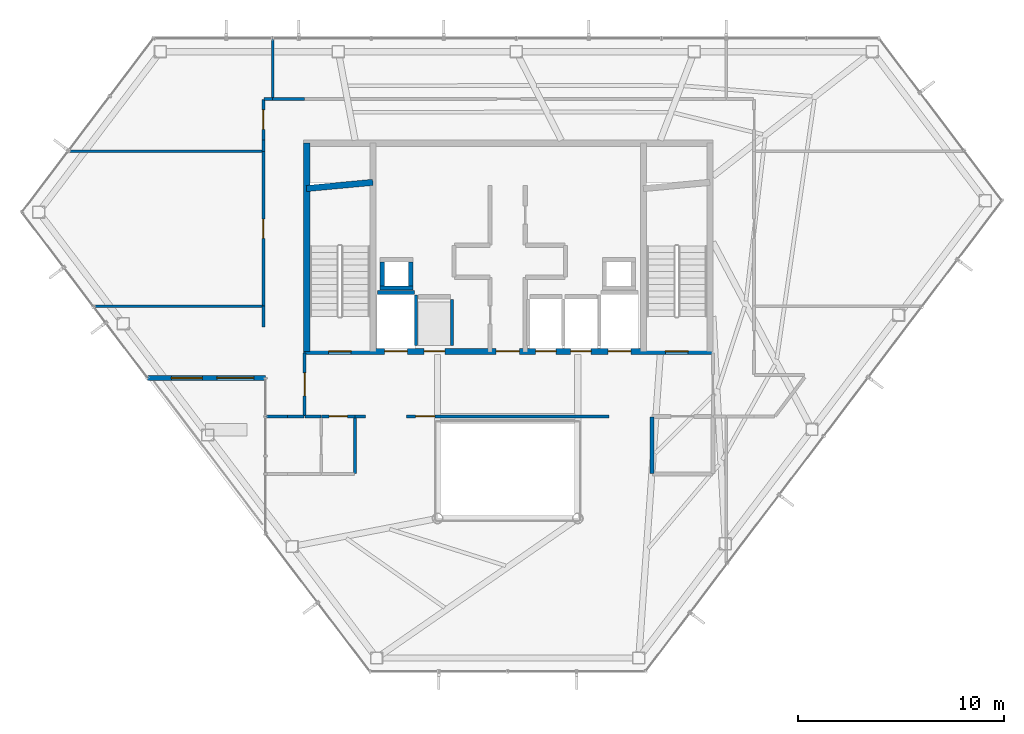
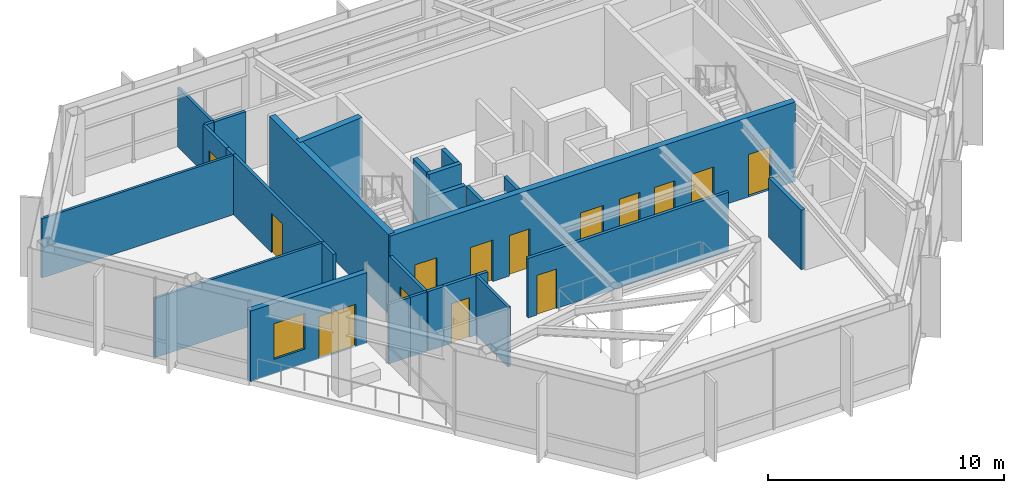
# One storey, part 19 of 23: 28 walls, 14 doors, 1 window, 15 openings.
"""IFC4 building model written with IfcOpenShell, lengths in metres."""

from ifc_helpers import new_model, si_unit, direction, frame, frame_2d, origin, place, context, subcontext, project, spatial, rectangle, extrude, material, layer, layer_set, type_object, element, fill, save


model = new_model("IFC4")

# Units and contexts
model_context = context("Model", 3, precision=1e-05, world=origin(), true_north=direction((0.0, 1.0)))
body_context = subcontext(model_context, "Body", "Model", "MODEL_VIEW")
ifc_project = project(units=[si_unit("LENGTHUNIT", "METRE"), si_unit("AREAUNIT", "SQUARE_METRE"), si_unit("VOLUMEUNIT", "CUBIC_METRE"), si_unit("PLANEANGLEUNIT", "RADIAN"), si_unit("MASSUNIT", "GRAM", prefix="KILO")], contexts=[model_context])

# Site, building, storey
site_placement = place(None, origin())
site = spatial("IfcSite", under=ifc_project, at=site_placement, CompositionType="ELEMENT")
building_placement = place(site_placement, origin())
building = spatial("IfcBuilding", under=site, at=building_placement, Name="Zarrinselat Tower", CompositionType="ELEMENT")
storey_placement = place(building_placement, frame((0.0, 0.0, 199.919921875)))
storey = spatial("IfcBuildingStorey", under=building, at=storey_placement, Name="L49", CompositionType="ELEMENT", Elevation=199.919921875)

# Wall, openings, door, window
ifc_material_1 = material(Name="Honed Cream Travertine Stone", Category="masonry")
ifc_layer_1 = layer(ifc_material_1, 0.260009765625)
ifc_layer_set_1 = layer_set([ifc_layer_1], Name="Honed Cream Travertine Stone")
wall_type_1 = type_object("IfcWallType", Name="WAL-EXT-STONE-260", PredefinedType="STANDARD", material=ifc_layer_set_1)
wall_1_placement = place(storey_placement, frame((26.642578125, 32.014892578125, 0.0), z_axis=(0.0, 0.0, 1.0), x_axis=(-1.0, 0.0, 0.0)))
wall_1 = element("IfcWall", 1, at=wall_1_placement, inside=storey, type_object=wall_type_1, Name="L49 Garden Terrace Portal Wall", PredefinedType="STANDARD", context=body_context, shape_type="SweptSolid", body=[
    extrude(rectangle(XDim=5.706787109375, YDim=0.260009765625, at=frame_2d((2.853515625, 0.0))), origin(), (0.0, 0.0, 1.0), 3.650146484375),
])
opening_1_placement = place(wall_1_placement, frame((0.550048828125, 0.0, 0.0)))
opening_1 = element("IfcOpeningElement", 2, at=opening_1_placement, cuts=wall_1, Name="Opening ED-04", PredefinedType="OPENING", context=body_context, shape_type="SweptSolid", body=[
    extrude(rectangle(XDim=1.800048828125, YDim=2.199951171875, at=frame_2d((0.89990234375, 1.10009765625))), frame((0.0, 0.139892578125, 0.0), z_axis=(0.0, -1.0, 0.0), x_axis=(1.0, 0.0, 0.0)), (0.0, 0.0, 1.0), 0.280029296875),
])
opening_2_placement = place(wall_1_placement, frame((3.050048828125, 0.0, 0.75)))
opening_2 = element("IfcOpeningElement", 3, at=opening_2_placement, cuts=wall_1, Name="Opening WN-5", PredefinedType="OPENING", context=body_context, shape_type="SweptSolid", body=[
    extrude(rectangle(XDim=1.5, YDim=1.85009765625, at=frame_2d((0.75, 0.925048828125))), frame((0.0, 0.139892578125, 0.0), z_axis=(0.0, -1.0, 0.0), x_axis=(1.0, 0.0, 0.0)), (0.0, 0.0, 1.0), 0.280029296875),
])
ifc_material_2 = material(Name="Double Low-E Laminated Solar Glass", Category="glass")
door_type_1 = type_object("IfcDoorType", Name="DR-EXT-TERR-1800", OperationType="NOTDEFINED", PredefinedType="DOOR", material=ifc_material_2)
door_1_placement = place(opening_1_placement, origin())
door_1 = element("IfcDoor", 4, at=door_1_placement, inside=storey, type_object=door_type_1, Name="L49 Outdoor Garden Terrace Double Door", OperationType="DOUBLE_DOOR_SINGLE_SWING", OverallHeight=2.199951171875, OverallWidth=1.800048828125, PredefinedType="DOOR", context=body_context, shape_type="SweptSolid", body=[
    extrude(rectangle(XDim=1.800048828125, YDim=2.199951171875, at=frame_2d((0.89990234375, 1.10009765625))), frame((0.0, 0.02490234375, 0.0), z_axis=(0.0, -1.0, 0.0), x_axis=(1.0, 0.0, 0.0)), (0.0, 0.0, 1.0), 0.050048828125),
])
fill(opening_1, door_1)
ifc_material_3 = material(Name="Double Low-E Laminated Solar Glass", Category="glass")
window_type = type_object("IfcWindowType", Name="WIN-OFFICE-1500", PartitioningType="SINGLE_PANEL", PredefinedType="WINDOW", material=ifc_material_3)
window_placement = place(opening_2_placement, origin())
window = element("IfcWindow", 5, at=window_placement, inside=storey, type_object=window_type, Name="L49 Garden Pavilion Window L", OverallHeight=1.85009765625, OverallWidth=1.5, PartitioningType="SINGLE_PANEL", PredefinedType="WINDOW", context=body_context, shape_type="SweptSolid", body=[
    extrude(rectangle(XDim=1.5, YDim=1.85009765625, at=frame_2d((0.75, 0.925048828125))), frame((0.0, 0.030029296875, 0.0), z_axis=(0.0, -1.0, 0.0), x_axis=(1.0, 0.0, 0.0)), (0.0, 0.0, 1.0), 0.06005859375),
])
fill(opening_2, window)

# Wall
ifc_material_4 = material(Name="Concrete C40/50", Category="concrete")
ifc_layer_2 = layer(ifc_material_4, 0.18994140625)
ifc_layer_set_2 = layer_set([ifc_layer_2], Name="Concrete C40/50")
wall_type_2 = type_object("IfcWallType", Name="WAL-PART-EI120", PredefinedType="PARTITIONING", material=ifc_layer_set_2)
wall_2_placement = place(storey_placement, frame((45.39990234375, 27.3701171875, 0.0), z_axis=(0.0, 0.0, 1.0), x_axis=(0.0, 1.0, 0.0)))
element("IfcWall", 6, at=wall_2_placement, inside=storey, type_object=wall_type_2, Name="L49 Partition Wall 19", PredefinedType="PARTITIONING", context=body_context, shape_type="SweptSolid", body=[
    extrude(rectangle(XDim=2.759765625, YDim=0.18994140625, at=frame_2d((1.3798828125, 0.0))), origin(), (0.0, 0.0, 1.0), 3.0771484375),
])

# Wall, opening, door
ifc_material_5 = material(Name="Fire-Rated Gypsum Board Partition", Category="gypsum")
ifc_layer_3 = layer(ifc_material_5, 0.14990234375)
ifc_layer_set_3 = layer_set([ifc_layer_3], Name="Fire-Rated Gypsum Board Partition")
wall_type_3 = type_object("IfcWallType", Name="WAL-PART-EI60", PredefinedType="PARTITIONING", material=ifc_layer_set_3)
wall_3_placement = place(storey_placement, frame((29.364990234375, 30.14990234375, 0.0), z_axis=(0.0, 0.0, 1.0), x_axis=(1.0, 0.0, 0.0)))
wall_3 = element("IfcWall", 7, at=wall_3_placement, inside=storey, type_object=wall_type_3, Name="L49 Partition Wall 13", PredefinedType="PARTITIONING", context=body_context, shape_type="SweptSolid", body=[
    extrude(rectangle(XDim=1.630126953125, YDim=0.14990234375, at=frame_2d((0.81494140625, 0.0))), origin(), (0.0, 0.0, 1.0), 3.0771484375),
])
opening_3_placement = place(wall_3_placement, frame((0.375, 0.0, 0.0)))
opening_3 = element("IfcOpeningElement", 8, at=opening_3_placement, cuts=wall_3, Name="Opening ID-03", PredefinedType="OPENING", context=body_context, shape_type="SweptSolid", body=[
    extrude(rectangle(XDim=0.8798828125, YDim=2.050048828125, at=frame_2d((0.43994140625, 1.02490234375))), frame((0.0, 0.0849609375, 0.0), z_axis=(0.0, -1.0, 0.0), x_axis=(1.0, 0.0, 0.0)), (0.0, 0.0, 1.0), 0.169921875),
])
ifc_material_6 = material(Name="Steel S355J2", Category="steel")
door_type_2 = type_object("IfcDoorType", Name="DR-INT-FD60-S", OperationType="NOTDEFINED", PredefinedType="DOOR", material=ifc_material_6)
door_2_placement = place(opening_3_placement, origin())
door_2 = element("IfcDoor", 9, at=door_2_placement, inside=storey, type_object=door_type_2, Name="L49 Interior Door P13", OperationType="SINGLE_SWING_LEFT", OverallHeight=2.050048828125, OverallWidth=0.8798828125, PredefinedType="DOOR", context=body_context, shape_type="SweptSolid", body=[
    extrude(rectangle(XDim=0.8798828125, YDim=2.050048828125, at=frame_2d((0.43994140625, 1.02490234375))), frame((0.0, 0.02490234375, 0.0), z_axis=(0.0, -1.0, 0.0), x_axis=(1.0, 0.0, 0.0)), (0.0, 0.0, 1.0), 0.050048828125),
])
fill(opening_3, door_2)

# Wall
wall_4_placement = place(storey_placement, frame((28.570068359375, 30.14990234375, 0.0), z_axis=(0.0, 0.0, 1.0), x_axis=(1.0, 0.0, 0.0)))
element("IfcWall", 10, at=wall_4_placement, inside=storey, type_object=wall_type_3, Name="L49 Partition Wall 14", PredefinedType="PARTITIONING", context=body_context, shape_type="SweptSolid", body=[
    extrude(rectangle(XDim=0.784912109375, YDim=0.14990234375, at=frame_2d((0.392578125, 0.0))), origin(), (0.0, 0.0, 1.0), 3.0771484375),
])

# Wall, opening, door
wall_5_placement = place(storey_placement, frame((33.485107421875, 30.14990234375, 0.0), z_axis=(0.0, 0.0, 1.0), x_axis=(1.0, 0.0, 0.0)))
wall_5 = element("IfcWall", 11, at=wall_5_placement, inside=storey, type_object=wall_type_3, Name="L49 Partition Wall 15", PredefinedType="PARTITIONING", context=body_context, shape_type="SweptSolid", body=[
    extrude(rectangle(XDim=9.829833984375, YDim=0.14990234375, at=frame_2d((4.9150390625, 0.0))), origin(), (0.0, 0.0, 1.0), 3.0771484375),
])
opening_4_placement = place(wall_5_placement, frame((0.445068359375, 0.0, 0.0)))
opening_4 = element("IfcOpeningElement", 12, at=opening_4_placement, cuts=wall_5, Name="Opening ID-04", PredefinedType="OPENING", context=body_context, shape_type="SweptSolid", body=[
    extrude(rectangle(XDim=0.93994140625, YDim=2.050048828125, at=frame_2d((0.469970703125, 1.02490234375))), frame((0.0, 0.0849609375, 0.0), z_axis=(0.0, -1.0, 0.0), x_axis=(1.0, 0.0, 0.0)), (0.0, 0.0, 1.0), 0.169921875),
])
ifc_material_7 = material(Name="Fire-Rated Gypsum Board Partition")
door_type_3 = type_object("IfcDoorType", Name="DR-INT-FD30-ENT", OperationType="NOTDEFINED", PredefinedType="DOOR", material=ifc_material_7)
door_3_placement = place(opening_4_placement, origin())
door_3 = element("IfcDoor", 13, at=door_3_placement, inside=storey, type_object=door_type_3, Name="L49 Interior Door P15", OperationType="SINGLE_SWING_RIGHT", OverallHeight=2.050048828125, OverallWidth=0.93994140625, PredefinedType="DOOR", context=body_context, shape_type="SweptSolid", body=[
    extrude(rectangle(XDim=0.93994140625, YDim=2.050048828125, at=frame_2d((0.469970703125, 1.02490234375))), frame((0.0, 0.02490234375, 0.0), z_axis=(0.0, -1.0, 0.0), x_axis=(1.0, 0.0, 0.0)), (0.0, 0.0, 1.0), 0.050048828125),
])
fill(opening_4, door_3)

# Wall
wall_6_placement = place(storey_placement, frame((31.0048828125, 30.14990234375, 0.0), z_axis=(0.0, 0.0, 1.0), x_axis=(1.0, 0.0, 0.0)))
element("IfcWall", 14, at=wall_6_placement, inside=storey, type_object=wall_type_3, Name="L49 Partition Wall 16", PredefinedType="PARTITIONING", context=body_context, shape_type="SweptSolid", body=[
    extrude(rectangle(XDim=0.510009765625, YDim=0.14990234375, at=frame_2d((0.2548828125, 0.0))), origin(), (0.0, 0.0, 1.0), 3.0771484375),
])

# Wall, opening, door
wall_7_placement = place(storey_placement, frame((28.550048828125, 30.169921875, 0.0), z_axis=(0.0, 0.0, 1.0), x_axis=(0.0, 1.0, 0.0)))
wall_7 = element("IfcWall", 15, at=wall_7_placement, inside=storey, type_object=wall_type_3, Name="L49 Partition Wall 17", PredefinedType="PARTITIONING", context=body_context, shape_type="SweptSolid", body=[
    extrude(rectangle(XDim=3.06005859375, YDim=0.14990234375, at=frame_2d((1.530029296875, 0.0))), origin(), (0.0, 0.0, 1.0), 3.0771484375),
])
opening_5_placement = place(wall_7_placement, frame((0.969970703125, 0.0, 0.0)))
opening_5 = element("IfcOpeningElement", 16, at=opening_5_placement, cuts=wall_7, Name="Opening ID-02", PredefinedType="OPENING", context=body_context, shape_type="SweptSolid", body=[
    extrude(rectangle(XDim=1.1201171875, YDim=2.050048828125, at=frame_2d((0.56005859375, 1.02490234375))), frame((0.0, 0.0849609375, 0.0), z_axis=(0.0, -1.0, 0.0), x_axis=(1.0, 0.0, 0.0)), (0.0, 0.0, 1.0), 0.169921875),
])
ifc_material_8 = material(Name="Steel S355J2", Category="steel")
door_type_4 = type_object("IfcDoorType", Name="DR-INT-FD60-W", OperationType="NOTDEFINED", PredefinedType="DOOR", material=ifc_material_8)
door_4_placement = place(opening_5_placement, origin())
door_4 = element("IfcDoor", 17, at=door_4_placement, inside=storey, type_object=door_type_4, Name="L49 Interior Door P17", OperationType="SINGLE_SWING_LEFT", OverallHeight=2.050048828125, OverallWidth=1.1201171875, PredefinedType="DOOR", context=body_context, shape_type="SweptSolid", body=[
    extrude(rectangle(XDim=1.1201171875, YDim=2.050048828125, at=frame_2d((0.56005859375, 1.02490234375))), frame((0.0, 0.02490234375, 0.0), z_axis=(0.0, -1.0, 0.0), x_axis=(1.0, 0.0, 0.0)), (0.0, 0.0, 1.0), 0.050048828125),
])
fill(opening_5, door_4)

# Wall
wall_8_placement = place(storey_placement, frame((26.550048828125, 34.47509765625, 0.0), z_axis=(0.0, 0.0, 1.0), x_axis=(0.0, 1.0, 0.0)))
element("IfcWall", 18, at=wall_8_placement, inside=storey, type_object=wall_type_3, Name="L49 Partition Wall 27", PredefinedType="PARTITIONING", context=body_context, shape_type="SweptSolid", body=[
    extrude(rectangle(XDim=1.02001953125, YDim=0.14990234375, at=frame_2d((0.510009765625, 0.0))), origin(), (0.0, 0.0, 1.0), 3.0771484375),
])

# Wall, opening, door
wall_9_placement = place(storey_placement, frame((26.550048828125, 35.5048828125, 0.0), z_axis=(0.0, 0.0, 1.0), x_axis=(0.0, 1.0, 0.0)))
wall_9 = element("IfcWall", 19, at=wall_9_placement, inside=storey, type_object=wall_type_3, Name="L49 Partition Wall 28", PredefinedType="PARTITIONING", context=body_context, shape_type="SweptSolid", body=[
    extrude(rectangle(XDim=7.490234375, YDim=0.14990234375, at=frame_2d((3.7451171875, 0.0))), origin(), (0.0, 0.0, 1.0), 3.0771484375),
])
opening_6_placement = place(wall_9_placement, frame((3.27490234375, 0.0, 0.0)))
opening_6 = element("IfcOpeningElement", 20, at=opening_6_placement, cuts=wall_9, Name="Opening ID-04", PredefinedType="OPENING", context=body_context, shape_type="SweptSolid", body=[
    extrude(rectangle(XDim=0.93994140625, YDim=2.050048828125, at=frame_2d((0.469970703125, 1.02490234375))), frame((0.0, 0.0849609375, 0.0), z_axis=(0.0, -1.0, 0.0), x_axis=(1.0, 0.0, 0.0)), (0.0, 0.0, 1.0), 0.169921875),
])
door_5_placement = place(opening_6_placement, origin())
door_5 = element("IfcDoor", 21, at=door_5_placement, inside=storey, type_object=door_type_3, Name="L49 Interior Door P28", OperationType="SINGLE_SWING_LEFT", OverallHeight=2.050048828125, OverallWidth=0.93994140625, PredefinedType="DOOR", context=body_context, shape_type="SweptSolid", body=[
    extrude(rectangle(XDim=0.93994140625, YDim=2.050048828125, at=frame_2d((0.469970703125, 1.02490234375))), frame((0.0, 0.02490234375, 0.0), z_axis=(0.0, -1.0, 0.0), x_axis=(1.0, 0.0, 0.0)), (0.0, 0.0, 1.0), 0.050048828125),
])
fill(opening_6, door_5)

# Wall
wall_10_placement = place(storey_placement, frame((26.550048828125, 43.0048828125, 0.0), z_axis=(0.0, 0.0, 1.0), x_axis=(0.0, 1.0, 0.0)))
element("IfcWall", 22, at=wall_10_placement, inside=storey, type_object=wall_type_3, Name="L49 Partition Wall 30", PredefinedType="PARTITIONING", context=body_context, shape_type="SweptSolid", body=[
    extrude(rectangle(XDim=0.545166015625, YDim=0.14990234375, at=frame_2d((0.2724609375, 0.0))), origin(), (0.0, 0.0, 1.0), 3.0771484375),
])

# Wall, opening, door
wall_11_placement = place(storey_placement, frame((26.550048828125, 43.550048828125, 0.0), z_axis=(0.0, 0.0, 1.0), x_axis=(0.0, 1.0, 0.0)))
wall_11 = element("IfcWall", 23, at=wall_11_placement, inside=storey, type_object=wall_type_3, Name="L49 Partition Wall 31", PredefinedType="PARTITIONING", context=body_context, shape_type="SweptSolid", body=[
    extrude(rectangle(XDim=1.97998046875, YDim=0.14990234375, at=frame_2d((0.989990234375, 0.0))), origin(), (0.0, 0.0, 1.0), 3.0771484375),
])
opening_7_placement = place(wall_11_placement, frame((0.52001953125, 0.0, 0.0)))
opening_7 = element("IfcOpeningElement", 24, at=opening_7_placement, cuts=wall_11, Name="Opening ID-04", PredefinedType="OPENING", context=body_context, shape_type="SweptSolid", body=[
    extrude(rectangle(XDim=0.93994140625, YDim=2.050048828125, at=frame_2d((0.469970703125, 1.02490234375))), frame((0.0, 0.0849609375, 0.0), z_axis=(0.0, -1.0, 0.0), x_axis=(1.0, 0.0, 0.0)), (0.0, 0.0, 1.0), 0.169921875),
])
door_6_placement = place(opening_7_placement, origin())
door_6 = element("IfcDoor", 25, at=door_6_placement, inside=storey, type_object=door_type_3, Name="L49 Interior Door P31", OperationType="SINGLE_SWING_LEFT", OverallHeight=2.050048828125, OverallWidth=0.93994140625, PredefinedType="DOOR", context=body_context, shape_type="SweptSolid", body=[
    extrude(rectangle(XDim=0.93994140625, YDim=2.050048828125, at=frame_2d((0.469970703125, 1.02490234375))), frame((0.0, 0.02490234375, 0.0), z_axis=(0.0, -1.0, 0.0), x_axis=(1.0, 0.0, 0.0)), (0.0, 0.0, 1.0), 0.050048828125),
])
fill(opening_7, door_6)

# Walls
wall_12_placement = place(storey_placement, frame((26.570068359375, 45.550048828125, 0.0), z_axis=(0.0, 0.0, 1.0), x_axis=(1.0, 0.0, 0.0)))
element("IfcWall", 26, at=wall_12_placement, inside=storey, type_object=wall_type_3, Name="L49 Partition Wall 32", PredefinedType="PARTITIONING", context=body_context, shape_type="SweptSolid", body=[
    extrude(rectangle(XDim=0.425048828125, YDim=0.14990234375, at=frame_2d((0.21240234375, 0.0))), origin(), (0.0, 0.0, 1.0), 3.0771484375),
])
wall_13_placement = place(storey_placement, frame((27.0048828125, 45.550048828125, 0.0), z_axis=(0.0, 0.0, 1.0), x_axis=(1.0, 0.0, 0.0)))
element("IfcWall", 27, at=wall_13_placement, inside=storey, type_object=wall_type_3, Name="L49 Partition Wall 36", PredefinedType="PARTITIONING", context=body_context, shape_type="SweptSolid", body=[
    extrude(rectangle(XDim=1.545166015625, YDim=0.14990234375, at=frame_2d((0.7724609375, 0.0))), origin(), (0.0, 0.0, 1.0), 3.0771484375),
])
ifc_material_9 = material(Name="Fire-Rated Gypsum Board Partition", Category="gypsum")
ifc_layer_4 = layer(ifc_material_9, 0.1201171875)
ifc_layer_set_4 = layer_set([ifc_layer_4], Name="Fire-Rated Gypsum Board Partition")
wall_type_4 = type_object("IfcWallType", Name="WAL-PART-STD", PredefinedType="PARTITIONING", material=ifc_layer_set_4)
wall_14_placement = place(storey_placement, frame((18.310791015625, 35.5, 0.0), z_axis=(0.0, 0.0, 1.0), x_axis=(1.0, 0.0, 0.0)))
element("IfcWall", 28, at=wall_14_placement, inside=storey, type_object=wall_type_4, Name="L49 Partition Wall 48", PredefinedType="PARTITIONING", context=body_context, shape_type="SweptSolid", body=[
    extrude(rectangle(XDim=8.21923828125, YDim=0.1201171875, at=frame_2d((4.109619140625, 0.0))), origin(), (0.0, 0.0, 1.0), 3.0771484375),
])
wall_15_placement = place(storey_placement, frame((17.086669921875, 43.0, 0.0), z_axis=(0.0, 0.0, 1.0), x_axis=(1.0, 0.0, 0.0)))
element("IfcWall", 29, at=wall_15_placement, inside=storey, type_object=wall_type_4, Name="L49 Partition Wall 49", PredefinedType="PARTITIONING", context=body_context, shape_type="SweptSolid", body=[
    extrude(rectangle(XDim=9.443359375, YDim=0.1201171875, at=frame_2d((4.7216796875, 0.0))), origin(), (0.0, 0.0, 1.0), 3.0771484375),
])
wall_16_placement = place(storey_placement, frame((27.0, 45.570068359375, 0.0), z_axis=(0.0, 0.0, 1.0), x_axis=(0.0, 1.0, 0.0)))
element("IfcWall", 30, at=wall_16_placement, inside=storey, type_object=wall_type_4, Name="L49 Partition Wall 51", PredefinedType="PARTITIONING", context=body_context, shape_type="SweptSolid", body=[
    extrude(rectangle(XDim=2.904052734375, YDim=0.1201171875, at=frame_2d((1.4521484375, 0.0))), origin(), (0.0, 0.0, 1.0), 3.0771484375),
])
ifc_material_10 = material(Name="Fire-Rated Gypsum Board Partition", Category="gypsum")
ifc_layer_5 = layer(ifc_material_10, 0.135009765625)
ifc_layer_set_5 = layer_set([ifc_layer_5], Name="Fire-Rated Gypsum Board Partition")
wall_type_5 = type_object("IfcWallType", Name="WAL-PART-WET", PredefinedType="PARTITIONING", material=ifc_layer_set_5)
wall_17_placement = place(storey_placement, frame((31.0, 27.3701171875, 0.0), z_axis=(0.0, 0.0, 1.0), x_axis=(0.0, 1.0, 0.0)))
element("IfcWall", 31, at=wall_17_placement, inside=storey, type_object=wall_type_5, Name="L49 Partition Wall 41", PredefinedType="PARTITIONING", context=body_context, shape_type="SweptSolid", body=[
    extrude(rectangle(XDim=2.759765625, YDim=0.135009765625, at=frame_2d((1.3798828125, 0.0))), origin(), (0.0, 0.0, 1.0), 3.0771484375),
])
wall_18_placement = place(storey_placement, frame((26.672607421875, 30.14990234375, 0.0), z_axis=(0.0, 0.0, 1.0), x_axis=(1.0, 0.0, 0.0)))
element("IfcWall", 32, at=wall_18_placement, inside=storey, type_object=wall_type_5, Name="L49 Partition Wall 44", PredefinedType="PARTITIONING", context=body_context, shape_type="SweptSolid", body=[
    extrude(rectangle(XDim=1.057373046875, YDim=0.135009765625, at=frame_2d((0.52880859375, 0.0))), origin(), (0.0, 0.0, 1.0), 3.0771484375),
])
wall_19_placement = place(storey_placement, frame((27.72998046875, 30.14990234375, 0.0), z_axis=(0.0, 0.0, 1.0), x_axis=(1.0, 0.0, 0.0)))
element("IfcWall", 33, at=wall_19_placement, inside=storey, type_object=wall_type_5, Name="L49 Partition Wall 45", PredefinedType="PARTITIONING", context=body_context, shape_type="SweptSolid", body=[
    extrude(rectangle(XDim=0.800048828125, YDim=0.135009765625, at=frame_2d((0.39990234375, 0.0))), origin(), (0.0, 0.0, 1.0), 3.0771484375),
])
ifc_material_11 = material(Name="Concrete C40/50", Category="concrete")
ifc_layer_6 = layer(ifc_material_11, 0.2099609375)
ifc_layer_set_6 = layer_set([ifc_layer_6], Name="Concrete C40/50")
wall_type_6 = type_object("IfcWallType", Name="WAL-SHAFT-210", PredefinedType="SOLIDWALL", material=ifc_layer_set_6)
wall_20_placement = place(storey_placement, frame((32.080078125, 36.155029296875, 0.0), z_axis=(0.0, 0.0, 1.0), x_axis=(1.0, 0.0, 0.0)))
element("IfcWall", 34, at=wall_20_placement, inside=storey, type_object=wall_type_6, Name="L49 Lift FFL1 North Shaft Wall", PredefinedType="SOLIDWALL", context=body_context, shape_type="SweptSolid", body=[
    extrude(rectangle(XDim=1.7998046875, YDim=0.2099609375, at=frame_2d((0.89990234375, 0.0))), origin(), (0.0, 0.0, 1.0), 3.092041015625),
])
wall_21_placement = place(storey_placement, frame((33.949951171875, 33.580078125, 0.0), z_axis=(0.0, 0.0, 1.0), x_axis=(0.0, 1.0, 0.0)))
element("IfcWall", 35, at=wall_21_placement, inside=storey, type_object=wall_type_6, Name="L49 Lift FFL1 E Shaft Wall", PredefinedType="SOLIDWALL", context=body_context, shape_type="SweptSolid", body=[
    extrude(rectangle(XDim=2.449951171875, YDim=0.159912109375, at=frame_2d((1.22509765625, 0.0))), origin(), (0.0, 0.0, 1.0), 3.092041015625),
])
wall_22_placement = place(storey_placement, frame((35.699951171875, 33.580078125, 0.0), z_axis=(0.0, 0.0, 1.0), x_axis=(0.0, 1.0, 0.0)))
element("IfcWall", 36, at=wall_22_placement, inside=storey, type_object=wall_type_6, Name="L49 Lift PL10 E Shaft Wall", PredefinedType="SOLIDWALL", context=body_context, shape_type="SweptSolid", body=[
    extrude(rectangle(XDim=2.25, YDim=0.159912109375, at=frame_2d((1.125, 0.0))), origin(), (0.0, 0.0, 1.0), 3.092041015625),
])
wall_23_placement = place(storey_placement, frame((32.2099609375, 36.375, 0.0), z_axis=(0.0, 0.0, 1.0), x_axis=(1.0, 0.0, 0.0)))
element("IfcWall", 37, at=wall_23_placement, inside=storey, type_object=wall_type_6, Name="L49 Core Riser RSR-W S Shaft Wall", PredefinedType="SOLIDWALL", context=body_context, shape_type="SweptSolid", body=[
    extrude(rectangle(XDim=1.60009765625, YDim=0.2099609375, at=frame_2d((0.800048828125, 0.0))), origin(), (0.0, 0.0, 1.0), 4.1201171875),
])
for number, where, z_axis, x_axis, name in (
    (38, (32.31494140625, 36.485107421875, 0.0), (0.0, 0.0, 1.0), (0.0, 1.0, 0.0), "L49 Core Riser RSR-W W Shaft Wall"),
    (39, (33.705078125, 36.485107421875, 0.0), (0.0, 0.0, 1.0), (0.0, 1.0, 0.0), "L49 Core Riser RSR-W E Shaft Wall"),
):
    element("IfcWall", number, at=place(storey_placement, frame(where, z_axis=z_axis, x_axis=x_axis)), inside=storey, type_object=wall_type_6, Name=name, PredefinedType="SOLIDWALL", context=body_context, shape_type="SweptSolid", body=[
        extrude(rectangle(XDim=1.14990234375, YDim=0.2099609375, at=frame_2d((0.574951171875, 0.0))), origin(), (0.0, 0.0, 1.0), 4.1201171875),
    ])

# Wall, openings, doors
ifc_material_12 = material(Name="Concrete C40/50", Category="concrete")
ifc_layer_7 = layer(ifc_material_12, 0.300048828125)
ifc_layer_set_7 = layer_set([ifc_layer_7], Name="Concrete C40/50")
wall_type_7 = type_object("IfcWallType", Name="WAL-SHEAR-300", PredefinedType="SHEAR", material=ifc_layer_set_7)
wall_24_placement = place(storey_placement, frame((28.5, 33.300048828125, 0.0), z_axis=(0.0, 0.0, 1.0), x_axis=(1.0, 0.0, 0.0)))
wall_24 = element("IfcWall", 40, at=wall_24_placement, inside=storey, type_object=wall_type_7, Name="L49 South Core Shear Wall", PredefinedType="SHEAR", context=body_context, shape_type="SweptSolid", body=[
    extrude(rectangle(XDim=19.860107421875, YDim=0.300048828125, at=frame_2d((9.93017578125, 0.0))), origin(), (0.0, 0.0, 1.0), 4.1201171875),
])
opening_8_placement = place(wall_24_placement, frame((3.929931640625, 0.0, 0.0)))
opening_8 = element("IfcOpeningElement", 41, at=opening_8_placement, cuts=wall_24, Name="Opening LD-FFL1", PredefinedType="OPENING", context=body_context, shape_type="SweptSolid", body=[
    extrude(rectangle(XDim=1.10009765625, YDim=2.14990234375, at=frame_2d((0.550048828125, 1.074951171875))), frame((0.0, 0.159912109375, 0.0), z_axis=(0.0, -1.0, 0.0), x_axis=(1.0, 0.0, 0.0)), (0.0, 0.0, 1.0), 0.320068359375),
])
opening_9_placement = place(wall_24_placement, frame((14.77001953125, 0.0, 0.0)))
opening_9 = element("IfcOpeningElement", 42, at=opening_9_placement, cuts=wall_24, Name="Opening LD-FFL2", PredefinedType="OPENING", context=body_context, shape_type="SweptSolid", body=[
    extrude(rectangle(XDim=1.10009765625, YDim=2.14990234375, at=frame_2d((0.550048828125, 1.074951171875))), frame((0.0, 0.159912109375, 0.0), z_axis=(0.0, -1.0, 0.0), x_axis=(1.0, 0.0, 0.0)), (0.0, 0.0, 1.0), 0.320068359375),
])
opening_10_placement = place(wall_24_placement, frame((11.25, 0.0, 0.0)))
opening_10 = element("IfcOpeningElement", 43, at=opening_10_placement, cuts=wall_24, Name="Opening LD-PL8", PredefinedType="OPENING", context=body_context, shape_type="SweptSolid", body=[
    extrude(rectangle(XDim=1.0, YDim=2.10009765625, at=frame_2d((0.5, 1.050048828125))), frame((0.0, 0.159912109375, 0.0), z_axis=(0.0, -1.0, 0.0), x_axis=(1.0, 0.0, 0.0)), (0.0, 0.0, 1.0), 0.320068359375),
])
opening_11_placement = place(wall_24_placement, frame((12.949951171875, 0.0, 0.0)))
opening_11 = element("IfcOpeningElement", 44, at=opening_11_placement, cuts=wall_24, Name="Opening LD-PL9", PredefinedType="OPENING", context=body_context, shape_type="SweptSolid", body=[
    extrude(rectangle(XDim=1.0, YDim=2.10009765625, at=frame_2d((0.5, 1.050048828125))), frame((0.0, 0.159912109375, 0.0), z_axis=(0.0, -1.0, 0.0), x_axis=(1.0, 0.0, 0.0)), (0.0, 0.0, 1.0), 0.320068359375),
])
opening_12_placement = place(wall_24_placement, frame((5.85009765625, 0.0, 0.0)))
opening_12 = element("IfcOpeningElement", 45, at=opening_12_placement, cuts=wall_24, Name="Opening LD-PL10", PredefinedType="OPENING", context=body_context, shape_type="SweptSolid", body=[
    extrude(rectangle(XDim=1.0, YDim=2.10009765625, at=frame_2d((0.5, 1.050048828125))), frame((0.0, 0.159912109375, 0.0), z_axis=(0.0, -1.0, 0.0), x_axis=(1.0, 0.0, 0.0)), (0.0, 0.0, 1.0), 0.320068359375),
])
opening_13_placement = place(wall_24_placement, frame((1.2099609375, 0.0, 0.0)))
opening_13 = element("IfcOpeningElement", 46, at=opening_13_placement, cuts=wall_24, Name="Opening SD-01", PredefinedType="OPENING", context=body_context, shape_type="SweptSolid", body=[
    extrude(rectangle(XDim=1.10009765625, YDim=2.199951171875, at=frame_2d((0.550048828125, 1.10009765625))), frame((0.0, 0.159912109375, 0.0), z_axis=(0.0, -1.0, 0.0), x_axis=(1.0, 0.0, 0.0)), (0.0, 0.0, 1.0), 0.320068359375),
])
opening_14_placement = place(wall_24_placement, frame((9.340087890625, 0.0, 0.0)))
opening_14 = element("IfcOpeningElement", 47, at=opening_14_placement, cuts=wall_24, Name="Opening ID-02", PredefinedType="OPENING", context=body_context, shape_type="SweptSolid", body=[
    extrude(rectangle(XDim=1.1201171875, YDim=2.050048828125, at=frame_2d((0.56005859375, 1.02490234375))), frame((0.0, 0.159912109375, 0.0), z_axis=(0.0, -1.0, 0.0), x_axis=(1.0, 0.0, 0.0)), (0.0, 0.0, 1.0), 0.320068359375),
])
opening_15_placement = place(wall_24_placement, frame((17.550048828125, 0.0, 0.0)))
opening_15 = element("IfcOpeningElement", 48, at=opening_15_placement, cuts=wall_24, Name="Opening SD-01", PredefinedType="OPENING", context=body_context, shape_type="SweptSolid", body=[
    extrude(rectangle(XDim=1.10009765625, YDim=2.199951171875, at=frame_2d((0.550048828125, 1.10009765625))), frame((0.0, 0.159912109375, 0.0), z_axis=(0.0, -1.0, 0.0), x_axis=(1.0, 0.0, 0.0)), (0.0, 0.0, 1.0), 0.320068359375),
])
door_7_placement = place(opening_14_placement, origin())
door_7 = element("IfcDoor", 49, at=door_7_placement, inside=storey, type_object=door_type_4, Name="L49 Core Service Vestibule Fire Door", OperationType="SINGLE_SWING_LEFT", OverallHeight=2.050048828125, OverallWidth=1.1201171875, PredefinedType="DOOR", context=body_context, shape_type="SweptSolid", body=[
    extrude(rectangle(XDim=1.1201171875, YDim=2.050048828125, at=frame_2d((0.56005859375, 1.02490234375))), frame((0.0, 0.02490234375, 0.0), z_axis=(0.0, -1.0, 0.0), x_axis=(1.0, 0.0, 0.0)), (0.0, 0.0, 1.0), 0.050048828125),
])
fill(opening_14, door_7)
ifc_material_13 = material(Name="Steel S355J2", Category="steel")
door_type_5 = type_object("IfcDoorType", Name="DR-LIFT-FF-1100", OperationType="NOTDEFINED", PredefinedType="DOOR", material=ifc_material_13)
door_8_placement = place(opening_8_placement, origin())
door_8 = element("IfcDoor", 50, at=door_8_placement, inside=storey, type_object=door_type_5, Name="L49 Lift FFL1 Sliding Landing Door", OperationType="SLIDING_TO_LEFT", OverallHeight=2.14990234375, OverallWidth=1.10009765625, PredefinedType="DOOR", context=body_context, shape_type="SweptSolid", body=[
    extrude(rectangle(XDim=1.10009765625, YDim=2.14990234375, at=frame_2d((0.550048828125, 1.074951171875))), frame((0.0, 0.02490234375, 0.0), z_axis=(0.0, -1.0, 0.0), x_axis=(1.0, 0.0, 0.0)), (0.0, 0.0, 1.0), 0.050048828125),
])
fill(opening_8, door_8)
door_9_placement = place(opening_9_placement, origin())
door_9 = element("IfcDoor", 51, at=door_9_placement, inside=storey, type_object=door_type_5, Name="L49 Lift FFL2 Sliding Landing Door", OperationType="SLIDING_TO_RIGHT", OverallHeight=2.14990234375, OverallWidth=1.10009765625, PredefinedType="DOOR", context=body_context, shape_type="SweptSolid", body=[
    extrude(rectangle(XDim=1.10009765625, YDim=2.14990234375, at=frame_2d((0.550048828125, 1.074951171875))), frame((0.0, 0.02490234375, 0.0), z_axis=(0.0, -1.0, 0.0), x_axis=(1.0, 0.0, 0.0)), (0.0, 0.0, 1.0), 0.050048828125),
])
fill(opening_9, door_9)
ifc_material_14 = material(Name="Steel S355J2", Category="steel")
door_type_6 = type_object("IfcDoorType", Name="DR-LIFT-PS-1000", OperationType="NOTDEFINED", PredefinedType="DOOR", material=ifc_material_14)
door_10_placement = place(opening_10_placement, origin())
door_10 = element("IfcDoor", 52, at=door_10_placement, inside=storey, type_object=door_type_6, Name="L49 Lift PL8 Sliding Landing Door", OperationType="SLIDING_TO_RIGHT", OverallHeight=2.10009765625, OverallWidth=1.0, PredefinedType="DOOR", context=body_context, shape_type="SweptSolid", body=[
    extrude(rectangle(XDim=1.0, YDim=2.10009765625, at=frame_2d((0.5, 1.050048828125))), frame((0.0, 0.02490234375, 0.0), z_axis=(0.0, -1.0, 0.0), x_axis=(1.0, 0.0, 0.0)), (0.0, 0.0, 1.0), 0.050048828125),
])
fill(opening_10, door_10)
door_11_placement = place(opening_11_placement, origin())
door_11 = element("IfcDoor", 53, at=door_11_placement, inside=storey, type_object=door_type_6, Name="L49 Lift PL9 Sliding Landing Door", OperationType="SLIDING_TO_LEFT", OverallHeight=2.10009765625, OverallWidth=1.0, PredefinedType="DOOR", context=body_context, shape_type="SweptSolid", body=[
    extrude(rectangle(XDim=1.0, YDim=2.10009765625, at=frame_2d((0.5, 1.050048828125))), frame((0.0, 0.02490234375, 0.0), z_axis=(0.0, -1.0, 0.0), x_axis=(1.0, 0.0, 0.0)), (0.0, 0.0, 1.0), 0.050048828125),
])
fill(opening_11, door_11)
door_12_placement = place(opening_12_placement, origin())
door_12 = element("IfcDoor", 54, at=door_12_placement, inside=storey, type_object=door_type_6, Name="L49 Lift PL10 Sliding Landing Door", OperationType="SLIDING_TO_RIGHT", OverallHeight=2.10009765625, OverallWidth=1.0, PredefinedType="DOOR", context=body_context, shape_type="SweptSolid", body=[
    extrude(rectangle(XDim=1.0, YDim=2.10009765625, at=frame_2d((0.5, 1.050048828125))), frame((0.0, 0.02490234375, 0.0), z_axis=(0.0, -1.0, 0.0), x_axis=(1.0, 0.0, 0.0)), (0.0, 0.0, 1.0), 0.050048828125),
])
fill(opening_12, door_12)
ifc_material_15 = material(Name="Steel S355J2", Category="steel")
door_type_7 = type_object("IfcDoorType", Name="DR-STAIR-1100", OperationType="NOTDEFINED", PredefinedType="DOOR", material=ifc_material_15)
door_13_placement = place(opening_13_placement, origin())
door_13 = element("IfcDoor", 55, at=door_13_placement, inside=storey, type_object=door_type_7, Name="L49 Exit Stair 1 Fire Door", OperationType="SINGLE_SWING_LEFT", OverallHeight=2.199951171875, OverallWidth=1.10009765625, PredefinedType="DOOR", context=body_context, shape_type="SweptSolid", body=[
    extrude(rectangle(XDim=1.10009765625, YDim=2.199951171875, at=frame_2d((0.550048828125, 1.10009765625))), frame((0.0, 0.02490234375, 0.0), z_axis=(0.0, -1.0, 0.0), x_axis=(1.0, 0.0, 0.0)), (0.0, 0.0, 1.0), 0.050048828125),
])
fill(opening_13, door_13)
door_14_placement = place(opening_15_placement, origin())
door_14 = element("IfcDoor", 56, at=door_14_placement, inside=storey, type_object=door_type_7, Name="L49 Exit Stair 2 Fire Door", OperationType="SINGLE_SWING_RIGHT", OverallHeight=2.199951171875, OverallWidth=1.10009765625, PredefinedType="DOOR", context=body_context, shape_type="SweptSolid", body=[
    extrude(rectangle(XDim=1.10009765625, YDim=2.199951171875, at=frame_2d((0.550048828125, 1.10009765625))), frame((0.0, 0.02490234375, 0.0), z_axis=(0.0, -1.0, 0.0), x_axis=(1.0, 0.0, 0.0)), (0.0, 0.0, 1.0), 0.050048828125),
])
fill(opening_15, door_14)

# Walls
wall_25_placement = place(storey_placement, frame((28.64990234375, 33.300048828125, 0.0), z_axis=(0.0, 0.0, 1.0), x_axis=(0.0, 1.0, 0.0)))
element("IfcWall", 57, at=wall_25_placement, inside=storey, type_object=wall_type_7, Name="L49 Core Shear Wall W", PredefinedType="SHEAR", context=body_context, shape_type="SweptSolid", body=[
    extrude(rectangle(XDim=10.099853515625, YDim=0.300048828125, at=frame_2d((5.0498046875, 0.0))), origin(), (0.0, 0.0, 1.0), 4.1201171875),
])
wall_26_placement = place(storey_placement, frame((28.639892578125, 41.199951171875, 0.0), z_axis=(0.0, 0.0, 1.0), x_axis=(0.995687118776, 0.092774789157, 0.0)))
element("IfcWall", 58, at=wall_26_placement, inside=storey, type_object=wall_type_7, Name="L49 Stair 1 North Shaft Wall", PredefinedType="SHEAR", context=body_context, shape_type="SweptSolid", body=[
    extrude(rectangle(XDim=3.234130859375, YDim=0.300048828125, at=frame_2d((1.6171875, 0.0))), origin(), (0.0, 0.0, 1.0), 4.1201171875),
])

save(model, "model.ifc")
